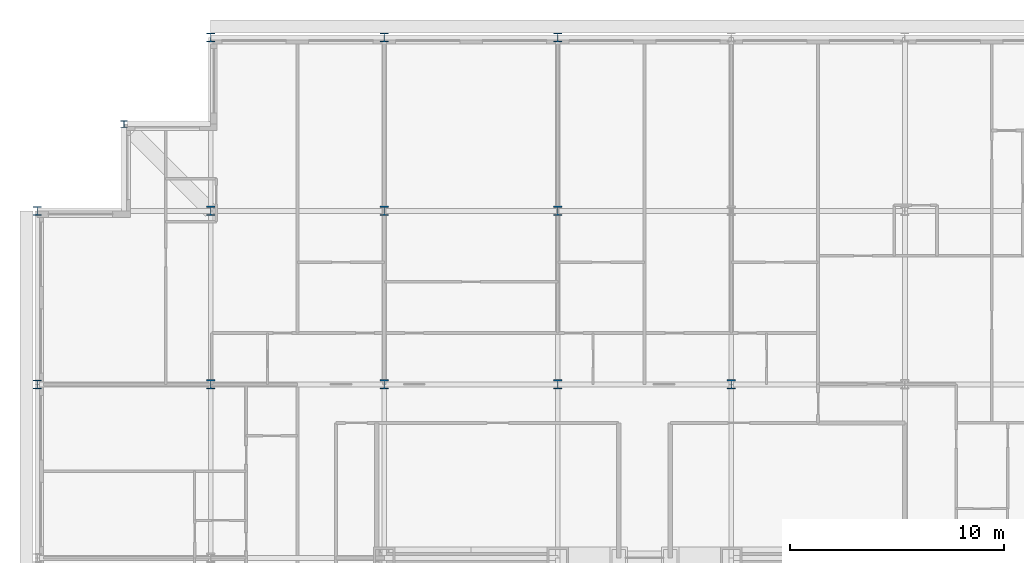
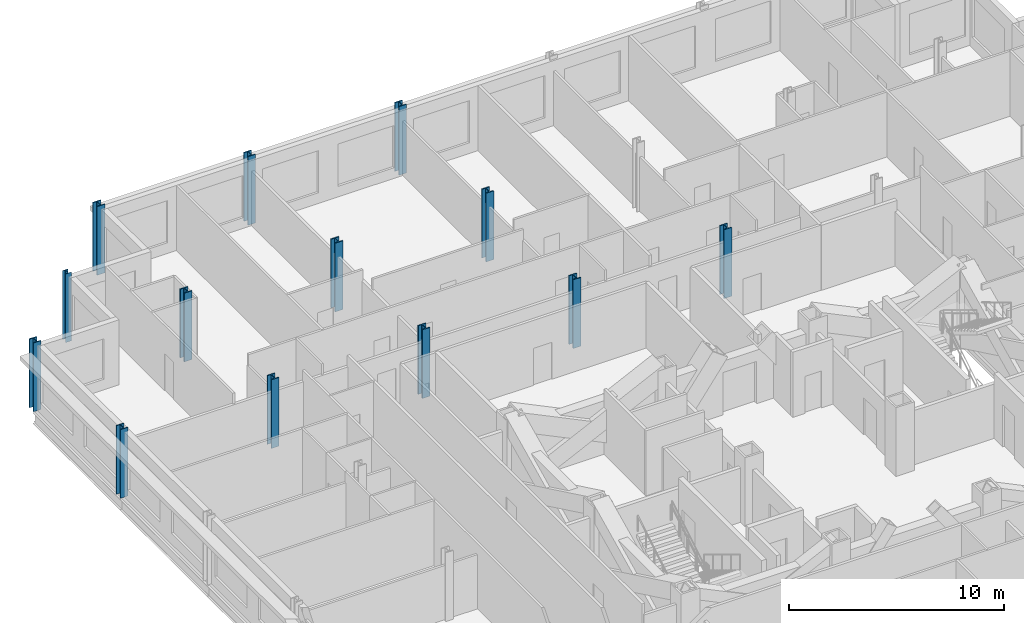
# One storey, part 3 of 15: 13 columns.
"""IFC4 building model written with IfcOpenShell, lengths in metres."""

import ifcopenshell
import ifcopenshell.guid

model = None  # the IFC model being written
_history = None  # IfcOwnerHistory: only IFC2X3 demands one
_inside = {}  # id of a spatial element -> (the spatial element, [elements in it])
_under = {}  # id of a project, library or spatial element -> (it, [spatial elements below it])
_declared = {}  # id of a project -> (the project, [libraries it declares])
_typed = {}  # id of a type object -> (the type object, [elements of that type])
_made_of = {}  # id of a material, layer set ... -> (it, [elements and type objects made of it])


def new_model(schema):
    """Start an empty IFC model of exactly this schema.

    Asked for "IFC4X3", IfcOpenShell would pick the latest addendum, in which some entities
    have other attributes; the version numbers below select the first issue.
    IFC2X3 requires an IfcOwnerHistory on every rooted entity: one is made here for all.
    """
    global model, _history
    if schema == "IFC4X3":
        model = ifcopenshell.file(schema_version=(4, 3, 0, 0))
    else:
        model = ifcopenshell.file(schema=schema)
    _inside.clear()
    _under.clear()
    _declared.clear()
    _typed.clear()
    _made_of.clear()
    _history = None
    if model.schema == "IFC2X3":
        org = make("IfcOrganization", Name="unknown")
        user = make(
            "IfcPersonAndOrganization",
            ThePerson=make("IfcPerson", FamilyName="unknown"),
            TheOrganization=org,
        )
        app = make(
            "IfcApplication",
            ApplicationDeveloper=org,
            Version="unknown",
            ApplicationFullName="unknown",
            ApplicationIdentifier="unknown",
        )
        _history = make(
            "IfcOwnerHistory",
            OwningUser=user,
            OwningApplication=app,
            ChangeAction="ADDED",
            CreationDate=0,
        )
    return model


def make(cls, **values):
    """One entity of the class cls with the attributes given. An attribute that is None is left unset."""
    return model.create_entity(
        cls, **{name: value for name, value in values.items() if value is not None}
    )


def rooted(cls, **values):
    """An entity with a GlobalId (a new one), such as an element, a storey or a relation."""
    return make(cls, GlobalId=ifcopenshell.guid.new(), OwnerHistory=_history, **values)


def si_unit(unit_type, name, prefix=None):
    """IfcSIUnit, for example si_unit("LENGTHUNIT", "METRE", prefix="MILLI")."""
    return make("IfcSIUnit", UnitType=unit_type, Prefix=prefix, Name=name)


def assignment(units):
    """IfcUnitAssignment: the units of a project."""
    return None if units is None else make("IfcUnitAssignment", Units=units)


def point(xyz):
    """IfcCartesianPoint."""
    return None if xyz is None else make("IfcCartesianPoint", Coordinates=xyz)


def direction(xyz):
    """IfcDirection."""
    return None if xyz is None else make("IfcDirection", DirectionRatios=xyz)


def frame(location, z_axis=None, x_axis=None):
    """IfcAxis2Placement3D, a coordinate frame: its origin and axes. An axis left out is left unset."""
    return make(
        "IfcAxis2Placement3D",
        Location=point(location),
        Axis=direction(z_axis),
        RefDirection=direction(x_axis),
    )


def frame_2d(location, x_axis=None):
    """IfcAxis2Placement2D, a coordinate frame in the plane: its origin and x axis."""
    return make(
        "IfcAxis2Placement2D", Location=point(location), RefDirection=direction(x_axis)
    )


def origin():
    """The frame at (0, 0, 0) with its axes left unset."""
    return frame((0.0, 0.0, 0.0))


def origin_2d():
    """The frame at (0, 0) in the plane with its x axis left unset."""
    return frame_2d((0.0, 0.0))


def place(relative_to, where):
    """IfcLocalPlacement: puts the frame where relative to a parent placement (None: the world)."""
    return make(
        "IfcLocalPlacement", PlacementRelTo=relative_to, RelativePlacement=where
    )


def context(
    kind, dimensions, precision=None, world=None, true_north=None, identifier=None
):
    """IfcGeometricRepresentationContext, for example the 3D "Model" context."""
    return make(
        "IfcGeometricRepresentationContext",
        ContextIdentifier=identifier,
        ContextType=kind,
        CoordinateSpaceDimension=dimensions,
        Precision=precision,
        WorldCoordinateSystem=world,
        TrueNorth=true_north,
    )


def subcontext(parent, identifier, kind, view, scale=None):
    """IfcGeometricRepresentationSubContext, for example "Body" below "Model"."""
    return make(
        "IfcGeometricRepresentationSubContext",
        ContextIdentifier=identifier,
        ContextType=kind,
        ParentContext=parent,
        TargetScale=scale,
        TargetView=view,
    )


def project(units=None, contexts=None):
    """IfcProject with its units and contexts."""
    return rooted(
        "IfcProject",
        Name="project",
        RepresentationContexts=contexts,
        UnitsInContext=assignment(units),
    )


def spatial(cls, under=None, at=None, **own):
    """A site, building, storey or space (cls), placed at a placement, below another one or the project."""
    s = rooted(cls, ObjectPlacement=at, **own)
    if under is not None:
        _under.setdefault(under.id(), (under, []))[1].append(s)
    return s


def profile(cls, at=None, kind="AREA", **sizes):
    """A parametric profile (cls). Its sizes go by their IFC names, for example OverallWidth=200.0."""
    return make(cls, ProfileType=kind, Position=at, **sizes)


def i_section(**sizes):
    """IfcIShapeProfileDef."""
    return profile("IfcIShapeProfileDef", **sizes)


def extrude(swept, where, along, depth):
    """IfcExtrudedAreaSolid: the profile swept, set in the frame where, extruded along a direction by depth."""
    return make(
        "IfcExtrudedAreaSolid",
        SweptArea=swept,
        Position=where,
        ExtrudedDirection=direction(along),
        Depth=depth,
    )


def shape(context_of_items, identifier, shape_type, items):
    """IfcShapeRepresentation: the items that make up one representation, for example the "Body"."""
    return make(
        "IfcShapeRepresentation",
        ContextOfItems=context_of_items,
        RepresentationIdentifier=identifier,
        RepresentationType=shape_type,
        Items=items,
    )


def material(Name=None, Category=None):
    """IfcMaterial."""
    return make("IfcMaterial", Name=Name, Category=Category)


def material_profile(
    of_material, cross_section, Name=None, Category=None, Priority=None
):
    """IfcMaterialProfile: a cross section and its material."""
    return make(
        "IfcMaterialProfile",
        Name=Name,
        Material=of_material,
        Profile=cross_section,
        Priority=Priority,
        Category=Category,
    )


def profile_set(profiles, Name=None, composite=None):
    """IfcMaterialProfileSet."""
    return make(
        "IfcMaterialProfileSet",
        Name=Name,
        MaterialProfiles=profiles,
        CompositeProfile=composite,
    )


def made_of(thing, what):
    """Note that an element or type object is made of a material, layer set ...; save() writes the relation."""
    if what is not None:
        _made_of.setdefault(what.id(), (what, []))[1].append(thing)
    return thing


def type_object(cls, material=None, **own):
    """A type object (cls), such as IfcWallType, which elements share."""
    return made_of(rooted(cls, **own), material)


def element(
    cls,
    number,
    at=None,
    inside=None,
    cuts=None,
    type_object=None,
    material=None,
    context=None,
    identifier="Body",
    shape_type=None,
    held_by="IfcProductDefinitionShape",
    body=None,
    shapes=None,
    **own,
):
    """One element of the class cls, such as IfcWall. Its Tag is "e" and its number.

    at: its placement. inside: the storey or other place that contains it. cuts: it is an
    opening in that element (IfcRelVoidsElement). A single representation is given by context,
    identifier, shape_type and body (its items); several are given by shapes. held_by: the class
    of the entity that holds the representations. save() writes the other relations.
    """
    e = rooted(cls, Tag="e%d" % number, ObjectPlacement=at, **own)
    if body is not None:
        shapes = [shape(context, identifier, shape_type, body)]
    if shapes is not None:
        e.Representation = make(held_by, Representations=shapes)
    if inside is not None:
        _inside.setdefault(inside.id(), (inside, []))[1].append(e)
    if cuts is not None:
        rooted(
            "IfcRelVoidsElement", RelatingBuildingElement=cuts, RelatedOpeningElement=e
        )
    if type_object is not None:
        _typed.setdefault(type_object.id(), (type_object, []))[1].append(e)
    return made_of(e, material)


def aggregate(whole, parts):
    """IfcRelAggregates: a whole, such as a stair, and the parts it consists of."""
    return rooted("IfcRelAggregates", RelatingObject=whole, RelatedObjects=parts)


def save(model, path):
    """Write the relations noted so far, then the file.

    IfcRelAggregates (storeys below a building ...), IfcRelContainedInSpatialStructure (elements
    in a storey), IfcRelDefinesByType, IfcRelAssociatesMaterial and IfcRelDeclares: one each for
    every whole, place, type object, material and project.
    """
    for whole, parts in _under.values():
        aggregate(whole, parts)
    for where, things in _inside.values():
        rooted(
            "IfcRelContainedInSpatialStructure",
            RelatedElements=things,
            RelatingStructure=where,
        )
    for kind, things in _typed.values():
        rooted("IfcRelDefinesByType", RelatedObjects=things, RelatingType=kind)
    for what, things in _made_of.values():
        rooted("IfcRelAssociatesMaterial", RelatedObjects=things, RelatingMaterial=what)
    for by, libraries in _declared.values():
        rooted("IfcRelDeclares", RelatingContext=by, RelatedDefinitions=libraries)
    model.write(path)


model = new_model("IFC4")

# Units and contexts
model_context = context("Model", 3, precision=1e-05, world=origin(), true_north=direction((0.0, 1.0)))
body_context = subcontext(model_context, "Body", "Model", "MODEL_VIEW")
ifc_project = project(units=[si_unit("LENGTHUNIT", "METRE"), si_unit("AREAUNIT", "SQUARE_METRE"), si_unit("VOLUMEUNIT", "CUBIC_METRE"), si_unit("PLANEANGLEUNIT", "RADIAN"), si_unit("MASSUNIT", "GRAM", prefix="KILO")], contexts=[model_context])

# Site, building, storey
site_placement = place(None, origin())
site = spatial("IfcSite", under=ifc_project, at=site_placement, CompositionType="ELEMENT")
building_placement = place(site_placement, origin())
building = spatial("IfcBuilding", under=site, at=building_placement, Name="Kopane Lantern Tower", CompositionType="ELEMENT")
storey_placement = place(building_placement, frame((0.0, 0.0, 281.39990234375)))
storey = spatial("IfcBuildingStorey", under=building, at=storey_placement, Name="L72", CompositionType="ELEMENT", Elevation=281.39990234375)

# Columns
ifc_material_1 = material(Name="Steel S355JR", Category="steel")
ifc_material_profile_1 = material_profile(ifc_material_1, i_section(OverallWidth=0.307373046875, OverallDepth=0.314453125, WebThickness=0.011962890625, FlangeThickness=0.018798828125, FilletRadius=0.01513671875, at=origin_2d()), Name="UC 305x305x118")
ifc_profile_set_1 = profile_set([ifc_material_profile_1], Name="Steel S355JR")
column_type_1 = type_object("IfcColumnType", Name="COLUMN UC 305x305x118", PredefinedType="COLUMN", material=ifc_profile_set_1)
column_placement = place(storey_placement, frame((4.050048828125, 60.75, 0.0), z_axis=(0.0, 0.0, 1.0), x_axis=(1.0, 0.0, 0.0)))
element("IfcColumn", 1, at=column_placement, inside=storey, type_object=column_type_1, Name="Column 4.05/60.75 L72", PredefinedType="COLUMN", context=body_context, shape_type="SweptSolid", body=[
    extrude(i_section(OverallWidth=0.307373046875, OverallDepth=0.314453125, WebThickness=0.011962890625, FlangeThickness=0.018798828125, FilletRadius=0.01513671875, at=origin_2d()), origin(), (0.0, 0.0, 1.0), 3.900146484375),
])
ifc_material_2 = material(Name="Steel S355JR", Category="steel")
ifc_material_profile_2 = material_profile(ifc_material_2, i_section(OverallWidth=0.406982421875, OverallDepth=0.4189453125, WebThickness=0.030517578125, FlangeThickness=0.04931640625, FilletRadius=0.01513671875, at=origin_2d()), Name="UC 356x406x393")
ifc_profile_set_2 = profile_set([ifc_material_profile_2], Name="Steel S355JR")
column_type_2 = type_object("IfcColumnType", Name="COLUMN UC 356x406x393", PredefinedType="COLUMN", material=ifc_profile_set_2)
for number, where, z_axis, x_axis, name in (
    (2, (0.0, 48.60009765625, 0.0), (0.0, 0.0, 1.0), (1.0, 0.0, 0.0), "Column 2/H L72"),
    (3, (0.0, 56.699951171875, 0.0), (0.0, 0.0, 1.0), (1.0, 0.0, 0.0), "Column 2/J L72"),
    (4, (8.10009765625, 64.800048828125, 0.0), (0.0, 0.0, 1.0), (1.0, 0.0, 0.0), "Column 3/K L72"),
    (5, (16.199951171875, 64.800048828125, 0.0), (0.0, 0.0, 1.0), (1.0, 0.0, 0.0), "Column 4/K L72"),
    (6, (24.300048828125, 64.800048828125, 0.0), (0.0, 0.0, 1.0), (1.0, 0.0, 0.0), "Column 5/K L72"),
):
    element("IfcColumn", number, at=place(storey_placement, frame(where, z_axis=z_axis, x_axis=x_axis)), inside=storey, type_object=column_type_2, Name=name, PredefinedType="COLUMN", context=body_context, shape_type="SweptSolid", body=[
        extrude(i_section(OverallWidth=0.406982421875, OverallDepth=0.4189453125, WebThickness=0.030517578125, FlangeThickness=0.04931640625, FilletRadius=0.01513671875, at=origin_2d()), origin(), (0.0, 0.0, 1.0), 3.900146484375),
    ])
ifc_material_3 = material(Name="Steel S355JR", Category="steel")
ifc_material_profile_3 = material_profile(ifc_material_3, i_section(OverallWidth=0.412109375, OverallDepth=0.4365234375, WebThickness=0.035888671875, FlangeThickness=0.05810546875, FilletRadius=0.01513671875, at=origin_2d()), Name="UC 356x406x467")
ifc_profile_set_3 = profile_set([ifc_material_profile_3], Name="Steel S355JR")
column_type_3 = type_object("IfcColumnType", Name="COLUMN UC 356x406x467", PredefinedType="COLUMN", material=ifc_profile_set_3)
for number, where, z_axis, x_axis, name in (
    (7, (8.10009765625, 48.60009765625, 0.0), (0.0, 0.0, 1.0), (1.0, 0.0, 0.0), "Column 3/H L72"),
    (8, (8.10009765625, 56.699951171875, 0.0), (0.0, 0.0, 1.0), (1.0, 0.0, 0.0), "Column 3/J L72"),
    (9, (16.199951171875, 48.60009765625, 0.0), (0.0, 0.0, 1.0), (1.0, 0.0, 0.0), "Column 4/H L72"),
    (10, (16.199951171875, 56.699951171875, 0.0), (0.0, 0.0, 1.0), (1.0, 0.0, 0.0), "Column 4/J L72"),
    (11, (24.300048828125, 48.60009765625, 0.0), (0.0, 0.0, 1.0), (1.0, 0.0, 0.0), "Column 5/H L72"),
    (12, (24.300048828125, 56.699951171875, 0.0), (0.0, 0.0, 1.0), (1.0, 0.0, 0.0), "Column 5/J L72"),
    (13, (32.39990234375, 48.60009765625, 0.0), (0.0, 0.0, 1.0), (1.0, 0.0, 0.0), "Column 6/H L72"),
):
    element("IfcColumn", number, at=place(storey_placement, frame(where, z_axis=z_axis, x_axis=x_axis)), inside=storey, type_object=column_type_3, Name=name, PredefinedType="COLUMN", context=body_context, shape_type="SweptSolid", body=[
        extrude(i_section(OverallWidth=0.412109375, OverallDepth=0.4365234375, WebThickness=0.035888671875, FlangeThickness=0.05810546875, FilletRadius=0.01513671875, at=origin_2d()), origin(), (0.0, 0.0, 1.0), 3.900146484375),
    ])

save(model, "model.ifc")
